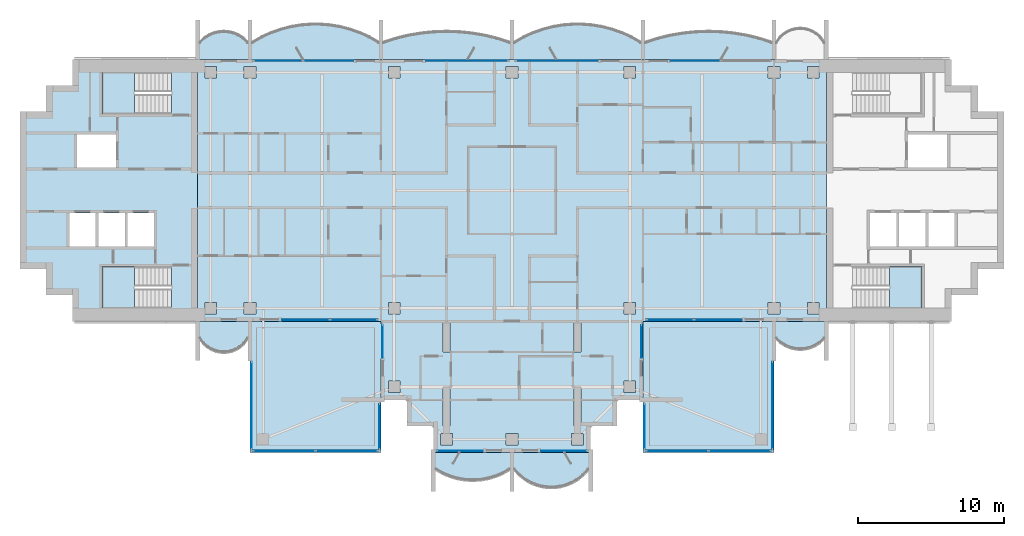
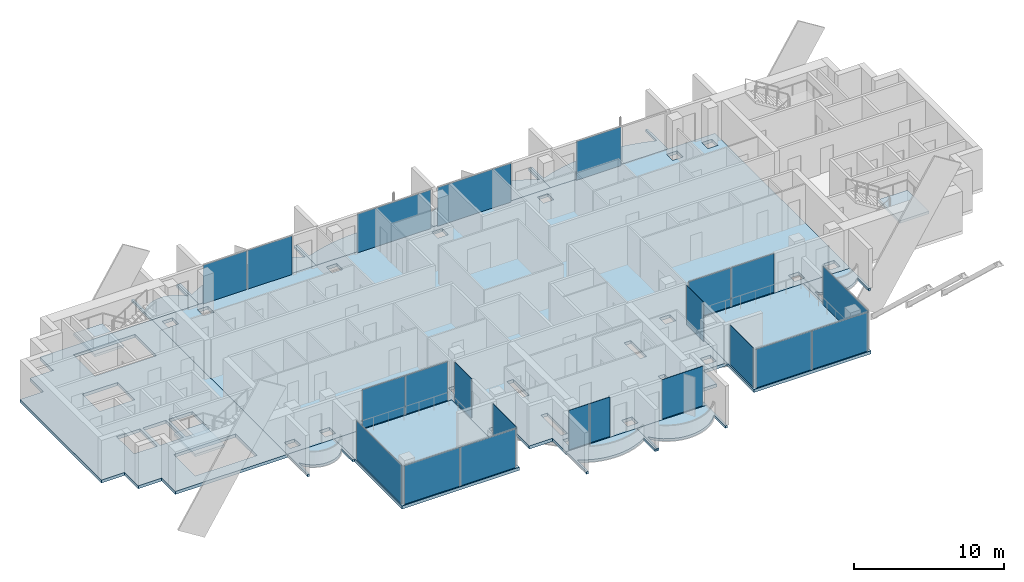
# One storey, part 6 of 18: 21 plates, 16 slabs, 19 elements without a shape of their own.
"""IFC4 building model written with IfcOpenShell, lengths in metres."""

from ifc_helpers import new_model, si_unit, direction, frame, origin, origin_2d, place, context, subcontext, project, spatial, polyline, rectangle, outline, extrude, material, layer, layer_set, type_object, element, aggregate, save


model = new_model("IFC4")

# Units and contexts
model_context = context("Model", 3, precision=1e-05, world=origin(), true_north=direction((0.0, 1.0)))
body_context = subcontext(model_context, "Body", "Model", "MODEL_VIEW")
ifc_project = project(units=[si_unit("LENGTHUNIT", "METRE"), si_unit("AREAUNIT", "SQUARE_METRE"), si_unit("VOLUMEUNIT", "CUBIC_METRE"), si_unit("PLANEANGLEUNIT", "RADIAN"), si_unit("MASSUNIT", "GRAM", prefix="KILO")], contexts=[model_context])

# Site, building, storey
site_placement = place(None, origin())
site = spatial("IfcSite", under=ifc_project, at=site_placement, CompositionType="ELEMENT")
building_placement = place(site_placement, origin())
building = spatial("IfcBuilding", under=site, at=building_placement, Name="Perihelion Cross Residences", CompositionType="ELEMENT")
storey_placement = place(building_placement, frame((0.0, 0.0, 281.5)))
storey = spatial("IfcBuildingStorey", under=building, at=storey_placement, Name="L72", CompositionType="ELEMENT", Elevation=281.5)

# Slabs
ifc_material_1 = material(Name="Concrete C40/50", Category="concrete")
ifc_layer_1 = layer(ifc_material_1, 0.199951171875)
ifc_layer_set_1 = layer_set([ifc_layer_1], Name="Balcony slab 200")
slab_type_1 = type_object("IfcSlabType", Name="Balcony slab 200", PredefinedType="FLOOR", material=ifc_layer_set_1)
slab_1_placement = place(storey_placement, frame((0.0, 0.0, -0.199951171875)))
element("IfcSlab", 1, at=slab_1_placement, inside=storey, type_object=slab_type_1, Name="Slab BK1 L72 east side north bay 2 balcony", PredefinedType="FLOOR", context=body_context, shape_type="SweptSolid", body=[
    extrude(outline(polyline([(18.0, 9.0), (9.0, 9.0), (9.0, 11.699951171875), (9.14990234375, 11.699951171875), (9.14990234375, 10.199951171875), (10.02001953125, 10.47509765625), (10.889892578125, 10.68505859375), (11.760009765625, 10.8330078125), (12.6298828125, 10.9208984375), (13.5, 10.949951171875), (14.3701171875, 10.9208984375), (15.239990234375, 10.8330078125), (16.110107421875, 10.68505859375), (16.97998046875, 10.47509765625), (17.85009765625, 10.199951171875), (17.85009765625, 11.699951171875), (18.0, 11.699951171875), (18.0, 9.0)])), origin(), (0.0, 0.0, 1.0), 0.199951171875),
])
slab_2_placement = place(storey_placement, frame((0.0, 0.0, -0.199951171875)))
element("IfcSlab", 2, at=slab_2_placement, inside=storey, type_object=slab_type_1, Name="Slab BK1 L72 north side east bay 1 balcony", PredefinedType="FLOOR", context=body_context, shape_type="SweptSolid", body=[
    extrude(outline(polyline([(9.0, 9.0), (0.0, 9.0), (0.0, 11.699951171875), (0.14990234375, 11.699951171875), (0.14990234375, 10.199951171875), (0.8193359375, 10.57666015625), (1.488525390625, 10.87646484375), (2.15771484375, 11.108154296875), (2.826904296875, 11.27734375), (3.49609375, 11.38818359375), (4.165283203125, 11.443115234375), (4.834716796875, 11.443115234375), (5.50390625, 11.38818359375), (6.173095703125, 11.27734375), (6.84228515625, 11.108154296875), (7.511474609375, 10.87646484375), (8.1806640625, 10.57666015625), (8.85009765625, 10.199951171875), (8.85009765625, 11.699951171875), (9.0, 11.699951171875), (9.0, 9.0)])), origin(), (0.0, 0.0, 1.0), 0.199951171875),
])
slab_3_placement = place(storey_placement, frame((0.0, 0.0, -0.199951171875)))
element("IfcSlab", 3, at=slab_3_placement, inside=storey, type_object=slab_type_1, Name="Slab BK1 L72 north side east bay 2 balcony", PredefinedType="FLOOR", context=body_context, shape_type="SweptSolid", body=[
    extrude(outline(polyline([(0.0, 9.0), (-9.0, 9.0), (-9.0, 11.699951171875), (-8.85009765625, 11.699951171875), (-8.85009765625, 10.199951171875), (-7.97998046875, 10.47509765625), (-7.110107421875, 10.68505859375), (-6.239990234375, 10.8330078125), (-5.3701171875, 10.9208984375), (-4.5, 10.949951171875), (-3.6298828125, 10.9208984375), (-2.760009765625, 10.8330078125), (-1.889892578125, 10.68505859375), (-1.02001953125, 10.47509765625), (-0.14990234375, 10.199951171875), (-0.14990234375, 11.699951171875), (0.0, 11.699951171875), (0.0, 9.0)])), origin(), (0.0, 0.0, 1.0), 0.199951171875),
])
slab_4_placement = place(storey_placement, frame((0.0, 0.0, -0.199951171875)))
element("IfcSlab", 4, at=slab_4_placement, inside=storey, type_object=slab_type_1, Name="Slab BK1 L72 west side north bay 1 balcony", PredefinedType="FLOOR", context=body_context, shape_type="SweptSolid", body=[
    extrude(outline(polyline([(-9.0, 9.0), (-18.0, 9.0), (-18.0, 11.699951171875), (-17.85009765625, 11.699951171875), (-17.85009765625, 10.199951171875), (-17.1806640625, 10.57666015625), (-16.511474609375, 10.87646484375), (-15.84228515625, 11.108154296875), (-15.173095703125, 11.27734375), (-14.50390625, 11.38818359375), (-13.834716796875, 11.443115234375), (-13.165283203125, 11.443115234375), (-12.49609375, 11.38818359375), (-11.826904296875, 11.27734375), (-11.15771484375, 11.108154296875), (-10.488525390625, 10.87646484375), (-9.8193359375, 10.57666015625), (-9.14990234375, 10.199951171875), (-9.14990234375, 11.699951171875), (-9.0, 11.699951171875), (-9.0, 9.0)])), origin(), (0.0, 0.0, 1.0), 0.199951171875),
])
slab_5_placement = place(storey_placement, frame((0.0, 0.0, -0.199951171875)))
element("IfcSlab", 5, at=slab_5_placement, inside=storey, type_object=slab_type_1, Name="Slab BK1 L72 west side north bay 2 balcony", PredefinedType="FLOOR", context=body_context, shape_type="SweptSolid", body=[
    extrude(outline(polyline([(-18.0, 9.0), (-21.60009765625, 9.0), (-21.60009765625, 11.699951171875), (-21.449951171875, 11.699951171875), (-21.449951171875, 10.199951171875), (-21.1201171875, 10.507568359375), (-20.7900390625, 10.71337890625), (-20.4599609375, 10.84814453125), (-20.1298828125, 10.925048828125), (-19.800048828125, 10.949951171875), (-19.469970703125, 10.925048828125), (-19.139892578125, 10.84814453125), (-18.81005859375, 10.71337890625), (-18.47998046875, 10.507568359375), (-18.14990234375, 10.199951171875), (-18.14990234375, 11.699951171875), (-18.0, 11.699951171875), (-18.0, 9.0)])), origin(), (0.0, 0.0, 1.0), 0.199951171875),
])
slab_6_placement = place(storey_placement, frame((0.0, 0.0, -0.199951171875)))
element("IfcSlab", 6, at=slab_6_placement, inside=storey, type_object=slab_type_1, Name="Slab BK1 L72 west side south bay 1 balcony", PredefinedType="FLOOR", context=body_context, shape_type="SweptSolid", body=[
    extrude(outline(polyline([(-21.60009765625, -9.0), (-18.0, -9.0), (-18.0, -11.699951171875), (-18.14990234375, -11.699951171875), (-18.14990234375, -10.199951171875), (-18.425048828125, -10.568603515625), (-18.699951171875, -10.806396484375), (-18.97509765625, -10.96875), (-19.25, -11.07568359375), (-19.52490234375, -11.136962890625), (-19.800048828125, -11.156982421875), (-20.074951171875, -11.136962890625), (-20.35009765625, -11.07568359375), (-20.625, -10.96875), (-20.89990234375, -10.806396484375), (-21.175048828125, -10.568603515625), (-21.449951171875, -10.199951171875), (-21.449951171875, -11.699951171875), (-21.60009765625, -11.699951171875), (-21.60009765625, -9.0)])), origin(), (0.0, 0.0, 1.0), 0.199951171875),
])
slab_7_placement = place(storey_placement, frame((0.0, 0.0, -0.199951171875)))
element("IfcSlab", 7, at=slab_7_placement, inside=storey, type_object=slab_type_1, Name="Slab BK1 L72 south tip south bay 1 balcony", PredefinedType="FLOOR", context=body_context, shape_type="SweptSolid", body=[
    extrude(outline(polyline([(-5.39990234375, -18.0), (0.0, -18.0), (0.0, -20.699951171875), (-0.14990234375, -20.699951171875), (-0.14990234375, -19.199951171875), (-0.659912109375, -19.4853515625), (-1.169921875, -19.694580078125), (-1.679931640625, -19.838134765625), (-2.18994140625, -19.92236328125), (-2.699951171875, -19.949951171875), (-3.2099609375, -19.92236328125), (-3.719970703125, -19.838134765625), (-4.22998046875, -19.694580078125), (-4.739990234375, -19.4853515625), (-5.25, -19.199951171875), (-5.25, -20.699951171875), (-5.39990234375, -20.699951171875), (-5.39990234375, -18.0)])), origin(), (0.0, 0.0, 1.0), 0.199951171875),
])
slab_8_placement = place(storey_placement, frame((0.0, 0.0, -0.199951171875)))
element("IfcSlab", 8, at=slab_8_placement, inside=storey, type_object=slab_type_1, Name="Slab BK1 L72 south tip south bay 2 balcony", PredefinedType="FLOOR", context=body_context, shape_type="SweptSolid", body=[
    extrude(outline(polyline([(0.0, -18.0), (5.39990234375, -18.0), (5.39990234375, -20.699951171875), (5.25, -20.699951171875), (5.25, -19.199951171875), (4.857666015625, -19.622314453125), (4.46533203125, -19.924072265625), (4.072998046875, -20.143310546875), (3.6806640625, -20.29736328125), (3.28857421875, -20.39599609375), (2.896240234375, -20.444091796875), (2.50390625, -20.444091796875), (2.111572265625, -20.39599609375), (1.71923828125, -20.29736328125), (1.326904296875, -20.143310546875), (0.9345703125, -19.924072265625), (0.542236328125, -19.622314453125), (0.14990234375, -19.199951171875), (0.14990234375, -20.699951171875), (0.0, -20.699951171875), (0.0, -18.0)])), origin(), (0.0, 0.0, 1.0), 0.199951171875),
])
slab_9_placement = place(storey_placement, frame((0.0, 0.0, -0.199951171875)))
element("IfcSlab", 9, at=slab_9_placement, inside=storey, type_object=slab_type_1, Name="Slab BK1 L72 east side south bay 2 balcony", PredefinedType="FLOOR", context=body_context, shape_type="SweptSolid", body=[
    extrude(outline(polyline([(18.0, -9.0), (21.60009765625, -9.0), (21.60009765625, -11.699951171875), (21.449951171875, -11.699951171875), (21.449951171875, -10.199951171875), (21.1201171875, -10.507568359375), (20.7900390625, -10.71337890625), (20.4599609375, -10.84814453125), (20.1298828125, -10.925048828125), (19.800048828125, -10.949951171875), (19.469970703125, -10.925048828125), (19.139892578125, -10.84814453125), (18.81005859375, -10.71337890625), (18.47998046875, -10.507568359375), (18.14990234375, -10.199951171875), (18.14990234375, -11.699951171875), (18.0, -11.699951171875), (18.0, -9.0)])), origin(), (0.0, 0.0, 1.0), 0.199951171875),
])

# Curtain wall, plate
ifc_material_2 = material(Name="Bronze anodised aluminium, tinted glazing", Category="aluminium")
curtain_wall_type_1 = type_object("IfcCurtainWallType", Name="CW1", PredefinedType="NOTDEFINED", material=ifc_material_2)
curtain_wall_1_placement = place(storey_placement, origin())
curtain_wall_1 = element("IfcCurtainWall", 10, at=curtain_wall_1_placement, inside=storey, type_object=curtain_wall_type_1, Name="Curtain wall CW1 L72 east side north bay 2", PredefinedType="NOTDEFINED")
ifc_material_3 = material(Name="Tinted laminated glass", Category="glass")
ifc_layer_2 = layer(ifc_material_3, 0.028076171875)
ifc_layer_set_2 = layer_set([ifc_layer_2], Name="CW1 panel")
plate_type_1 = type_object("IfcPlateType", Name="CW1 panel", PredefinedType="CURTAIN_PANEL", material=ifc_layer_set_2)
plate_1_placement = place(storey_placement, frame((12.610107421875, 8.89990234375, 0.0), z_axis=(0.0, 0.0, 1.0), x_axis=(-1.0, 0.0, 0.0)))
plate_1 = element("IfcPlate", 11, at=plate_1_placement, type_object=plate_type_1, Name="CW1 panel 2", PredefinedType="CURTAIN_PANEL", context=body_context, shape_type="SweptSolid", body=[
    extrude(rectangle(XDim=3.419921875, YDim=0.028076171875, at=origin_2d()), origin(), (0.0, 0.0, 1.0), 3.139892578125),
])
aggregate(curtain_wall_1, [plate_1])

curtain_wall_2_placement = place(storey_placement, origin())
curtain_wall_2 = element("IfcCurtainWall", 12, at=curtain_wall_2_placement, inside=storey, type_object=curtain_wall_type_1, Name="Curtain wall CW1 L72 north side east bay 1", PredefinedType="NOTDEFINED")
plate_2_placement = place(storey_placement, frame((3.080078125, 8.89990234375, 0.0), z_axis=(0.0, 0.0, 1.0), x_axis=(-1.0, 0.0, 0.0)))
plate_2 = element("IfcPlate", 13, at=plate_2_placement, type_object=plate_type_1, Name="CW1 panel 1", PredefinedType="CURTAIN_PANEL", context=body_context, shape_type="SweptSolid", body=[
    extrude(rectangle(XDim=5.639892578125, YDim=0.028076171875, at=origin_2d()), origin(), (0.0, 0.0, 1.0), 3.139892578125),
])
aggregate(curtain_wall_2, [plate_2])

curtain_wall_3_placement = place(storey_placement, origin())
curtain_wall_3 = element("IfcCurtainWall", 14, at=curtain_wall_3_placement, inside=storey, type_object=curtain_wall_type_1, Name="Curtain wall CW1 L72 north side east bay 2", PredefinedType="NOTDEFINED")
plate_3_placement = place(storey_placement, frame((-3.080078125, 8.89990234375, 0.0), z_axis=(0.0, 0.0, 1.0), x_axis=(-1.0, 0.0, 0.0)))
plate_3 = element("IfcPlate", 15, at=plate_3_placement, type_object=plate_type_1, Name="CW1 panel 1", PredefinedType="CURTAIN_PANEL", context=body_context, shape_type="SweptSolid", body=[
    extrude(rectangle(XDim=5.639892578125, YDim=0.028076171875, at=origin_2d()), origin(), (0.0, 0.0, 1.0), 3.139892578125),
])
aggregate(curtain_wall_3, [plate_3])

# Curtain wall, plates
curtain_wall_4_placement = place(storey_placement, origin())
curtain_wall_4 = element("IfcCurtainWall", 16, at=curtain_wall_4_placement, inside=storey, type_object=curtain_wall_type_1, Name="Curtain wall CW1 L72 west side north bay 1", PredefinedType="NOTDEFINED")
plate_4_placement = place(storey_placement, frame((-12.610107421875, 8.89990234375, 0.0), z_axis=(0.0, 0.0, 1.0), x_axis=(-1.0, 0.0, 0.0)))
plate_4 = element("IfcPlate", 17, at=plate_4_placement, type_object=plate_type_1, Name="CW1 panel 1", PredefinedType="CURTAIN_PANEL", context=body_context, shape_type="SweptSolid", body=[
    extrude(rectangle(XDim=3.419921875, YDim=0.028076171875, at=origin_2d()), origin(), (0.0, 0.0, 1.0), 3.139892578125),
])
plate_5_placement = place(storey_placement, frame((-16.06005859375, 8.89990234375, 0.0), z_axis=(0.0, 0.0, 1.0), x_axis=(-1.0, 0.0, 0.0)))
plate_5 = element("IfcPlate", 18, at=plate_5_placement, type_object=plate_type_1, Name="CW1 panel 2", PredefinedType="CURTAIN_PANEL", context=body_context, shape_type="SweptSolid", body=[
    extrude(rectangle(XDim=3.360107421875, YDim=0.028076171875, at=origin_2d()), origin(), (0.0, 0.0, 1.0), 3.139892578125),
])
aggregate(curtain_wall_4, [plate_4, plate_5])

curtain_wall_5_placement = place(storey_placement, origin())
curtain_wall_5 = element("IfcCurtainWall", 19, at=curtain_wall_5_placement, inside=storey, type_object=curtain_wall_type_1, Name="Curtain wall CW1 L72 west side south bay 2", PredefinedType="NOTDEFINED")
plate_6_placement = place(storey_placement, frame((-14.1650390625, -8.89990234375, 0.0), z_axis=(0.0, 0.0, 1.0), x_axis=(1.0, 0.0, 0.0)))
plate_6 = element("IfcPlate", 20, at=plate_6_placement, type_object=plate_type_1, Name="CW1 panel 1", PredefinedType="CURTAIN_PANEL", context=body_context, shape_type="SweptSolid", body=[
    extrude(rectangle(XDim=3.27001953125, YDim=0.028076171875, at=origin_2d()), origin(), (0.0, 0.0, 1.0), 3.139892578125),
])
plate_7_placement = place(storey_placement, frame((-10.864990234375, -8.89990234375, 0.0), z_axis=(0.0, 0.0, 1.0), x_axis=(1.0, 0.0, 0.0)))
plate_7 = element("IfcPlate", 21, at=plate_7_placement, type_object=plate_type_1, Name="CW1 panel 2", PredefinedType="CURTAIN_PANEL", context=body_context, shape_type="SweptSolid", body=[
    extrude(rectangle(XDim=3.2099609375, YDim=0.028076171875, at=origin_2d()), origin(), (0.0, 0.0, 1.0), 3.139892578125),
])
aggregate(curtain_wall_5, [plate_6, plate_7])

# Curtain wall, plate
curtain_wall_6_placement = place(storey_placement, origin())
curtain_wall_6 = element("IfcCurtainWall", 22, at=curtain_wall_6_placement, inside=storey, type_object=curtain_wall_type_1, Name="Curtain wall CW1 L72 south side west bay 1", PredefinedType="NOTDEFINED")
plate_8_placement = place(storey_placement, frame((-8.89990234375, -10.3798828125, 0.0), z_axis=(0.0, 0.0, 1.0), x_axis=(0.0, -1.0, 0.0)))
plate_8 = element("IfcPlate", 23, at=plate_8_placement, type_object=plate_type_1, Name="CW1 panel 1", PredefinedType="CURTAIN_PANEL", context=body_context, shape_type="SweptSolid", body=[
    extrude(rectangle(XDim=2.239990234375, YDim=0.028076171875, at=origin_2d()), origin(), (0.0, 0.0, 1.0), 3.199951171875),
])
aggregate(curtain_wall_6, [plate_8])

curtain_wall_7_placement = place(storey_placement, origin())
curtain_wall_7 = element("IfcCurtainWall", 24, at=curtain_wall_7_placement, inside=storey, type_object=curtain_wall_type_1, Name="Curtain wall CW1 L72 south tip south bay 1", PredefinedType="NOTDEFINED")
plate_9_placement = place(storey_placement, frame((-3.570068359375, -17.89990234375, 0.0), z_axis=(0.0, 0.0, 1.0), x_axis=(1.0, 0.0, 0.0)))
plate_9 = element("IfcPlate", 25, at=plate_9_placement, type_object=plate_type_1, Name="CW1 panel 1", PredefinedType="CURTAIN_PANEL", context=body_context, shape_type="SweptSolid", body=[
    extrude(rectangle(XDim=3.139892578125, YDim=0.028076171875, at=origin_2d()), origin(), (0.0, 0.0, 1.0), 3.199951171875),
])
aggregate(curtain_wall_7, [plate_9])

curtain_wall_8_placement = place(storey_placement, origin())
curtain_wall_8 = element("IfcCurtainWall", 26, at=curtain_wall_8_placement, inside=storey, type_object=curtain_wall_type_1, Name="Curtain wall CW1 L72 south tip south bay 2", PredefinedType="NOTDEFINED")
plate_10_placement = place(storey_placement, frame((3.570068359375, -17.89990234375, 0.0), z_axis=(0.0, 0.0, 1.0), x_axis=(1.0, 0.0, 0.0)))
plate_10 = element("IfcPlate", 27, at=plate_10_placement, type_object=plate_type_1, Name="CW1 panel 1", PredefinedType="CURTAIN_PANEL", context=body_context, shape_type="SweptSolid", body=[
    extrude(rectangle(XDim=3.139892578125, YDim=0.028076171875, at=origin_2d()), origin(), (0.0, 0.0, 1.0), 3.199951171875),
])
aggregate(curtain_wall_8, [plate_10])

curtain_wall_9_placement = place(storey_placement, origin())
curtain_wall_9 = element("IfcCurtainWall", 28, at=curtain_wall_9_placement, inside=storey, type_object=curtain_wall_type_1, Name="Curtain wall CW1 L72 south side east bay 1", PredefinedType="NOTDEFINED")
plate_11_placement = place(storey_placement, frame((8.89990234375, -10.3798828125, 0.0), z_axis=(0.0, 0.0, 1.0), x_axis=(0.0, 1.0, 0.0)))
plate_11 = element("IfcPlate", 29, at=plate_11_placement, type_object=plate_type_1, Name="CW1 panel 1", PredefinedType="CURTAIN_PANEL", context=body_context, shape_type="SweptSolid", body=[
    extrude(rectangle(XDim=2.239990234375, YDim=0.028076171875, at=origin_2d()), origin(), (0.0, 0.0, 1.0), 3.199951171875),
])
aggregate(curtain_wall_9, [plate_11])

# Curtain wall, plates
curtain_wall_10_placement = place(storey_placement, origin())
curtain_wall_10 = element("IfcCurtainWall", 30, at=curtain_wall_10_placement, inside=storey, type_object=curtain_wall_type_1, Name="Curtain wall CW1 L72 east side south bay 1", PredefinedType="NOTDEFINED")
plate_12_placement = place(storey_placement, frame((10.864990234375, -8.89990234375, 0.0), z_axis=(0.0, 0.0, 1.0), x_axis=(1.0, 0.0, 0.0)))
plate_12 = element("IfcPlate", 31, at=plate_12_placement, type_object=plate_type_1, Name="CW1 panel 1", PredefinedType="CURTAIN_PANEL", context=body_context, shape_type="SweptSolid", body=[
    extrude(rectangle(XDim=3.2099609375, YDim=0.028076171875, at=origin_2d()), origin(), (0.0, 0.0, 1.0), 3.139892578125),
])
plate_13_placement = place(storey_placement, frame((14.1650390625, -8.89990234375, 0.0), z_axis=(0.0, 0.0, 1.0), x_axis=(1.0, 0.0, 0.0)))
plate_13 = element("IfcPlate", 32, at=plate_13_placement, type_object=plate_type_1, Name="CW1 panel 2", PredefinedType="CURTAIN_PANEL", context=body_context, shape_type="SweptSolid", body=[
    extrude(rectangle(XDim=3.27001953125, YDim=0.028076171875, at=origin_2d()), origin(), (0.0, 0.0, 1.0), 3.139892578125),
])
aggregate(curtain_wall_10, [plate_12, plate_13])

# Curtain wall, plate
ifc_material_4 = material(Name="Bronze anodised aluminium, tinted glazing", Category="aluminium")
curtain_wall_type_2 = type_object("IfcCurtainWallType", Name="CW4", PredefinedType="NOTDEFINED", material=ifc_material_4)
curtain_wall_11_placement = place(storey_placement, origin())
curtain_wall_11 = element("IfcCurtainWall", 33, at=curtain_wall_11_placement, inside=storey, type_object=curtain_wall_type_2, Name="Curtain wall CW4 L72 pocket south-east 1 1", PredefinedType="NOTDEFINED")
ifc_material_5 = material(Name="Tinted laminated glass", Category="glass")
ifc_layer_3 = layer(ifc_material_5, 0.030029296875)
ifc_layer_set_3 = layer_set([ifc_layer_3], Name="CW4 panel")
plate_type_2 = type_object("IfcPlateType", Name="CW4 panel", PredefinedType="CURTAIN_PANEL", material=ifc_layer_set_3)
plate_14_placement = place(storey_placement, frame((17.89990234375, -14.784912109375, 0.0), z_axis=(0.0, 0.0, 1.0), x_axis=(0.0, -1.0, 0.0)))
plate_14 = element("IfcPlate", 34, at=plate_14_placement, type_object=plate_type_2, Name="CW4 panel 1", PredefinedType="CURTAIN_PANEL", context=body_context, shape_type="SweptSolid", body=[
    extrude(rectangle(XDim=5.969970703125, YDim=0.030029296875, at=origin_2d()), origin(), (0.0, 0.0, 1.0), 3.139892578125),
])
aggregate(curtain_wall_11, [plate_14])

# Curtain wall, plates
curtain_wall_12_placement = place(storey_placement, origin())
curtain_wall_12 = element("IfcCurtainWall", 35, at=curtain_wall_12_placement, inside=storey, type_object=curtain_wall_type_2, Name="Curtain wall CW4 L72 pocket south-east 1 2", PredefinedType="NOTDEFINED")
plate_15_placement = place(storey_placement, frame((15.64990234375, -17.89990234375, 0.0), z_axis=(0.0, 0.0, 1.0), x_axis=(-1.0, 0.0, 0.0)))
plate_15 = element("IfcPlate", 36, at=plate_15_placement, type_object=plate_type_2, Name="CW4 panel 1", PredefinedType="CURTAIN_PANEL", context=body_context, shape_type="SweptSolid", body=[
    extrude(rectangle(XDim=4.239990234375, YDim=0.030029296875, at=origin_2d()), origin(), (0.0, 0.0, 1.0), 3.139892578125),
])
plate_16_placement = place(storey_placement, frame((11.35009765625, -17.89990234375, 0.0), z_axis=(0.0, 0.0, 1.0), x_axis=(-1.0, 0.0, 0.0)))
plate_16 = element("IfcPlate", 37, at=plate_16_placement, type_object=plate_type_2, Name="CW4 panel 2", PredefinedType="CURTAIN_PANEL", context=body_context, shape_type="SweptSolid", body=[
    extrude(rectangle(XDim=4.239990234375, YDim=0.030029296875, at=origin_2d()), origin(), (0.0, 0.0, 1.0), 3.139892578125),
])
aggregate(curtain_wall_12, [plate_15, plate_16])

# Curtain wall, plate
curtain_wall_13_placement = place(storey_placement, origin())
curtain_wall_13 = element("IfcCurtainWall", 38, at=curtain_wall_13_placement, inside=storey, type_object=curtain_wall_type_2, Name="Curtain wall CW4 L72 pocket south-east 1 3", PredefinedType="NOTDEFINED")
plate_17_placement = place(storey_placement, frame((9.10009765625, -16.2294921875, 0.0), z_axis=(0.0, 0.0, 1.0), x_axis=(0.0, 1.0, 0.0)))
plate_17 = element("IfcPlate", 39, at=plate_17_placement, type_object=plate_type_2, Name="CW4 panel 1", PredefinedType="CURTAIN_PANEL", context=body_context, shape_type="SweptSolid", body=[
    extrude(rectangle(XDim=3.0810546875, YDim=0.030029296875, at=origin_2d()), origin(), (0.0, 0.0, 1.0), 3.199951171875),
])
aggregate(curtain_wall_13, [plate_17])

curtain_wall_14_placement = place(storey_placement, origin())
curtain_wall_14 = element("IfcCurtainWall", 40, at=curtain_wall_14_placement, inside=storey, type_object=curtain_wall_type_2, Name="Curtain wall CW4 L72 pocket south-west 1 1", PredefinedType="NOTDEFINED")
plate_18_placement = place(storey_placement, frame((-9.10009765625, -16.2294921875, 0.0), z_axis=(0.0, 0.0, 1.0), x_axis=(0.0, -1.0, 0.0)))
plate_18 = element("IfcPlate", 41, at=plate_18_placement, type_object=plate_type_2, Name="CW4 panel 1", PredefinedType="CURTAIN_PANEL", context=body_context, shape_type="SweptSolid", body=[
    extrude(rectangle(XDim=3.0810546875, YDim=0.030029296875, at=origin_2d()), origin(), (0.0, 0.0, 1.0), 3.199951171875),
])
aggregate(curtain_wall_14, [plate_18])

# Curtain wall, plates
curtain_wall_15_placement = place(storey_placement, origin())
curtain_wall_15 = element("IfcCurtainWall", 42, at=curtain_wall_15_placement, inside=storey, type_object=curtain_wall_type_2, Name="Curtain wall CW4 L72 pocket south-west 1 2", PredefinedType="NOTDEFINED")
plate_19_placement = place(storey_placement, frame((-11.35009765625, -17.89990234375, 0.0), z_axis=(0.0, 0.0, 1.0), x_axis=(-1.0, 0.0, 0.0)))
plate_19 = element("IfcPlate", 43, at=plate_19_placement, type_object=plate_type_2, Name="CW4 panel 1", PredefinedType="CURTAIN_PANEL", context=body_context, shape_type="SweptSolid", body=[
    extrude(rectangle(XDim=4.239990234375, YDim=0.030029296875, at=origin_2d()), origin(), (0.0, 0.0, 1.0), 3.139892578125),
])
plate_20_placement = place(storey_placement, frame((-15.64990234375, -17.89990234375, 0.0), z_axis=(0.0, 0.0, 1.0), x_axis=(-1.0, 0.0, 0.0)))
plate_20 = element("IfcPlate", 44, at=plate_20_placement, type_object=plate_type_2, Name="CW4 panel 2", PredefinedType="CURTAIN_PANEL", context=body_context, shape_type="SweptSolid", body=[
    extrude(rectangle(XDim=4.239990234375, YDim=0.030029296875, at=origin_2d()), origin(), (0.0, 0.0, 1.0), 3.139892578125),
])
aggregate(curtain_wall_15, [plate_19, plate_20])

# Curtain wall, plate
curtain_wall_16_placement = place(storey_placement, origin())
curtain_wall_16 = element("IfcCurtainWall", 45, at=curtain_wall_16_placement, inside=storey, type_object=curtain_wall_type_2, Name="Curtain wall CW4 L72 pocket south-west 1 3", PredefinedType="NOTDEFINED")
plate_21_placement = place(storey_placement, frame((-17.89990234375, -14.784912109375, 0.0), z_axis=(0.0, 0.0, 1.0), x_axis=(0.0, 1.0, 0.0)))
plate_21 = element("IfcPlate", 46, at=plate_21_placement, type_object=plate_type_2, Name="CW4 panel 1", PredefinedType="CURTAIN_PANEL", context=body_context, shape_type="SweptSolid", body=[
    extrude(rectangle(XDim=5.969970703125, YDim=0.030029296875, at=origin_2d()), origin(), (0.0, 0.0, 1.0), 3.139892578125),
])
aggregate(curtain_wall_16, [plate_21])

# Slab
ifc_material_6 = material(Name="Concrete C40/50", Category="concrete")
ifc_layer_4 = layer(ifc_material_6, 0.25)
ifc_layer_set_4 = layer_set([ifc_layer_4], Name="Core floor slab 250")
slab_type_2 = type_object("IfcSlabType", Name="Core floor slab 250", PredefinedType="FLOOR", material=ifc_layer_set_4)
slab_10_placement = place(storey_placement, frame((0.0, 0.0, -0.25)))
element("IfcSlab", 47, at=slab_10_placement, inside=storey, type_object=slab_type_2, Name="West core floor slab", PredefinedType="FLOOR", context=body_context, shape_type="SweptSolid", body=[
    extrude(outline(polyline([(-30.199951171875, 7.199951171875), (-32.0, 7.199951171875), (-32.0, 5.39990234375), (-33.800048828125, 5.39990234375), (-33.800048828125, -5.39990234375), (-32.0, -5.39990234375), (-32.0, -7.199951171875), (-30.199951171875, -7.199951171875), (-30.199951171875, -9.0), (-21.60009765625, -9.0), (-21.60009765625, 9.0), (-30.199951171875, 9.0), (-30.199951171875, 7.199951171875)]), holes=[polyline([(-28.14990234375, -8.10009765625), (-28.14990234375, -5.25), (-23.405029296875, -5.25), (-23.405029296875, -8.10009765625), (-28.14990234375, -8.10009765625)]), polyline([(-24.60009765625, -1.550048828125), (-24.60009765625, -3.85009765625), (-26.39990234375, -3.85009765625), (-26.39990234375, -1.550048828125), (-24.60009765625, -1.550048828125)]), polyline([(-26.60009765625, -1.550048828125), (-26.60009765625, -3.85009765625), (-28.39990234375, -3.85009765625), (-28.39990234375, -1.550048828125), (-26.60009765625, -1.550048828125)]), polyline([(-28.60009765625, -3.85009765625), (-30.39990234375, -3.85009765625), (-30.39990234375, -1.550048828125), (-28.60009765625, -1.550048828125), (-28.60009765625, -3.85009765625)]), polyline([(-27.199951171875, 3.85009765625), (-27.199951171875, 1.550048828125), (-29.89990234375, 1.550048828125), (-29.89990234375, 3.85009765625), (-27.199951171875, 3.85009765625)]), polyline([(-23.405029296875, 5.25), (-28.14990234375, 5.25), (-28.14990234375, 8.10009765625), (-23.405029296875, 8.10009765625), (-23.405029296875, 5.25)])]), origin(), (0.0, 0.0, 1.0), 0.25),
])

# Stair, slab
ifc_material_7 = material(Name="Concrete C40/50", Category="concrete")
stair_type = type_object("IfcStairType", Name="Exit stair, half-turn", PredefinedType="HALF_TURN_STAIR", material=ifc_material_7)
stair_1_placement = place(storey_placement, origin())
stair_1 = element("IfcStair", 48, at=stair_1_placement, inside=storey, type_object=stair_type, Name="L72 East core exit stair 2", PredefinedType="HALF_TURN_STAIR")
ifc_material_8 = material(Name="Concrete C40/50", Category="concrete")
ifc_layer_5 = layer(ifc_material_8, 0.199951171875)
ifc_layer_set_5 = layer_set([ifc_layer_5], Name="Exit stair landing 200")
slab_type_3 = type_object("IfcSlabType", Name="Exit stair landing 200", PredefinedType="LANDING", material=ifc_layer_set_5)
slab_11_placement = place(storey_placement, frame((0.0, 0.0, 1.550048828125)))
slab_11 = element("IfcSlab", 49, at=slab_11_placement, type_object=slab_type_3, Name="ST-E2 landing 1", PredefinedType="LANDING", context=body_context, shape_type="SweptSolid", body=[
    extrude(outline(polyline([(25.919921875, -8.10009765625), (28.14990234375, -8.10009765625), (28.14990234375, -5.25), (25.919921875, -5.25), (25.919921875, -8.10009765625)])), origin(), (0.0, 0.0, 1.0), 0.199951171875),
])
aggregate(stair_1, [slab_11])

stair_2_placement = place(storey_placement, origin())
stair_2 = element("IfcStair", 50, at=stair_2_placement, inside=storey, type_object=stair_type, Name="L72 West core exit stair 1", PredefinedType="HALF_TURN_STAIR")
slab_12_placement = place(storey_placement, frame((0.0, 0.0, 1.550048828125)))
slab_12 = element("IfcSlab", 51, at=slab_12_placement, type_object=slab_type_3, Name="ST-W1 landing 1", PredefinedType="LANDING", context=body_context, shape_type="SweptSolid", body=[
    extrude(outline(polyline([(-25.919921875, 8.10009765625), (-28.14990234375, 8.10009765625), (-28.14990234375, 5.25), (-25.919921875, 5.25), (-25.919921875, 8.10009765625)])), origin(), (0.0, 0.0, 1.0), 0.199951171875),
])
aggregate(stair_2, [slab_12])

stair_3_placement = place(storey_placement, origin())
stair_3 = element("IfcStair", 52, at=stair_3_placement, inside=storey, type_object=stair_type, Name="L72 West core exit stair 2", PredefinedType="HALF_TURN_STAIR")
slab_13_placement = place(storey_placement, frame((0.0, 0.0, 1.550048828125)))
slab_13 = element("IfcSlab", 53, at=slab_13_placement, type_object=slab_type_3, Name="ST-W2 landing 1", PredefinedType="LANDING", context=body_context, shape_type="SweptSolid", body=[
    extrude(outline(polyline([(-25.919921875, -5.25), (-28.14990234375, -5.25), (-28.14990234375, -8.10009765625), (-25.919921875, -8.10009765625), (-25.919921875, -5.25)])), origin(), (0.0, 0.0, 1.0), 0.199951171875),
])
aggregate(stair_3, [slab_13])

# Slabs
ifc_material_9 = material(Name="Concrete C50/60", Category="concrete")
ifc_layer_6 = layer(ifc_material_9, 0.25)
ifc_layer_set_6 = layer_set([ifc_layer_6], Name="Residential floor post-tensioned slab concrete C50/60")
slab_type_4 = type_object("IfcSlabType", Name="Residential floor post-tensioned slab concrete C50/60", PredefinedType="FLOOR", material=ifc_layer_set_6)
slab_14_placement = place(storey_placement, frame((0.0, 0.0, -0.25)))
element("IfcSlab", 54, at=slab_14_placement, inside=storey, type_object=slab_type_4, Name="Slab SL8 L72 1 no. 1", PredefinedType="FLOOR", context=body_context, shape_type="SweptSolid", body=[
    extrude(outline(polyline([(-9.0, 9.0), (9.0, 9.0), (21.60009765625, 9.0), (21.60009765625, -9.0), (9.0, -9.0), (9.0, -14.39990234375), (7.199951171875, -14.39990234375), (7.199951171875, -16.199951171875), (5.39990234375, -16.199951171875), (5.39990234375, -18.0), (-5.39990234375, -18.0), (-5.39990234375, -16.199951171875), (-7.199951171875, -16.199951171875), (-7.199951171875, -14.39990234375), (-9.0, -14.39990234375), (-9.0, -9.0), (-21.60009765625, -9.0), (-21.60009765625, 9.0), (-9.0, 9.0)]), holes=[polyline([(-4.10009765625, -16.699951171875), (-4.89990234375, -16.699951171875), (-4.89990234375, -17.5), (-4.10009765625, -17.5), (-4.10009765625, -16.699951171875)]), polyline([(0.39990234375, -17.5), (0.39990234375, -16.699951171875), (-0.39990234375, -16.699951171875), (-0.39990234375, -17.5), (0.39990234375, -17.5)]), polyline([(-4.25, -16.199951171875), (-4.25, -13.5), (-4.75, -13.5), (-4.75, -16.199951171875), (-4.25, -16.199951171875)]), polyline([(-7.699951171875, -13.10009765625), (-8.5, -13.10009765625), (-8.5, -13.89990234375), (-7.699951171875, -13.89990234375), (-7.699951171875, -13.10009765625)]), polyline([(-4.25, -11.10009765625), (-4.25, -9.0), (-4.75, -9.0), (-4.75, -11.10009765625), (-4.25, -11.10009765625)]), polyline([(-20.300048828125, -8.5), (-20.300048828125, -7.699951171875), (-21.10009765625, -7.699951171875), (-21.10009765625, -8.5), (-20.300048828125, -8.5)]), polyline([(-17.60009765625, -7.699951171875), (-18.39990234375, -7.699951171875), (-18.39990234375, -8.5), (-17.60009765625, -8.5), (-17.60009765625, -7.699951171875)]), polyline([(-7.699951171875, -8.5), (-7.699951171875, -7.699951171875), (-8.5, -7.699951171875), (-8.5, -8.5), (-7.699951171875, -8.5)]), polyline([(-20.300048828125, 8.5), (-21.10009765625, 8.5), (-21.10009765625, 7.699951171875), (-20.300048828125, 7.699951171875), (-20.300048828125, 8.5)]), polyline([(-17.60009765625, 7.699951171875), (-17.60009765625, 8.5), (-18.39990234375, 8.5), (-18.39990234375, 7.699951171875), (-17.60009765625, 7.699951171875)]), polyline([(-7.699951171875, 7.699951171875), (-7.699951171875, 8.5), (-8.5, 8.5), (-8.5, 7.699951171875), (-7.699951171875, 7.699951171875)]), polyline([(4.89990234375, -16.699951171875), (4.10009765625, -16.699951171875), (4.10009765625, -17.5), (4.89990234375, -17.5), (4.89990234375, -16.699951171875)]), polyline([(4.75, -16.199951171875), (4.75, -13.5), (4.25, -13.5), (4.25, -16.199951171875), (4.75, -16.199951171875)]), polyline([(8.5, -13.89990234375), (8.5, -13.10009765625), (7.699951171875, -13.10009765625), (7.699951171875, -13.89990234375), (8.5, -13.89990234375)]), polyline([(4.75, -9.0), (4.25, -9.0), (4.25, -11.10009765625), (4.75, -11.10009765625), (4.75, -9.0)]), polyline([(8.5, -8.5), (8.5, -7.699951171875), (7.699951171875, -7.699951171875), (7.699951171875, -8.5), (8.5, -8.5)]), polyline([(18.39990234375, -8.5), (18.39990234375, -7.699951171875), (17.60009765625, -7.699951171875), (17.60009765625, -8.5), (18.39990234375, -8.5)]), polyline([(21.10009765625, -7.699951171875), (20.300048828125, -7.699951171875), (20.300048828125, -8.5), (21.10009765625, -8.5), (21.10009765625, -7.699951171875)]), polyline([(0.39990234375, 7.699951171875), (0.39990234375, 8.5), (-0.39990234375, 8.5), (-0.39990234375, 7.699951171875), (0.39990234375, 7.699951171875)]), polyline([(8.5, 8.5), (7.699951171875, 8.5), (7.699951171875, 7.699951171875), (8.5, 7.699951171875), (8.5, 8.5)]), polyline([(18.39990234375, 7.699951171875), (18.39990234375, 8.5), (17.60009765625, 8.5), (17.60009765625, 7.699951171875), (18.39990234375, 7.699951171875)]), polyline([(21.10009765625, 7.699951171875), (21.10009765625, 8.5), (20.300048828125, 8.5), (20.300048828125, 7.699951171875), (21.10009765625, 7.699951171875)])]), origin(), (0.0, 0.0, 1.0), 0.25),
])
ifc_material_10 = material(Name="Concrete C40/50", Category="concrete")
ifc_layer_7 = layer(ifc_material_10, 0.25)
ifc_layer_set_7 = layer_set([ifc_layer_7], Name="Winter garden slab")
slab_type_5 = type_object("IfcSlabType", Name="Winter garden slab", PredefinedType="FLOOR", material=ifc_layer_set_7)
slab_15_placement = place(storey_placement, frame((0.0, 0.0, -0.25)))
element("IfcSlab", 55, at=slab_15_placement, inside=storey, type_object=slab_type_5, Name="Slab BK3 L72 pocket south-west", PredefinedType="FLOOR", context=body_context, shape_type="SweptSolid", body=[
    extrude(outline(polyline([(-9.0, -18.0), (-9.0, -9.0), (-18.0, -9.0), (-18.0, -18.0), (-9.0, -18.0)])), origin(), (0.0, 0.0, 1.0), 0.25),
])
slab_16_placement = place(storey_placement, frame((0.0, 0.0, -0.25)))
element("IfcSlab", 56, at=slab_16_placement, inside=storey, type_object=slab_type_5, Name="Slab BK3 L72 pocket south-east", PredefinedType="FLOOR", context=body_context, shape_type="SweptSolid", body=[
    extrude(outline(polyline([(18.0, -18.0), (18.0, -9.0), (9.0, -9.0), (9.0, -18.0), (18.0, -18.0)])), origin(), (0.0, 0.0, 1.0), 0.25),
])

save(model, "model.ifc")
